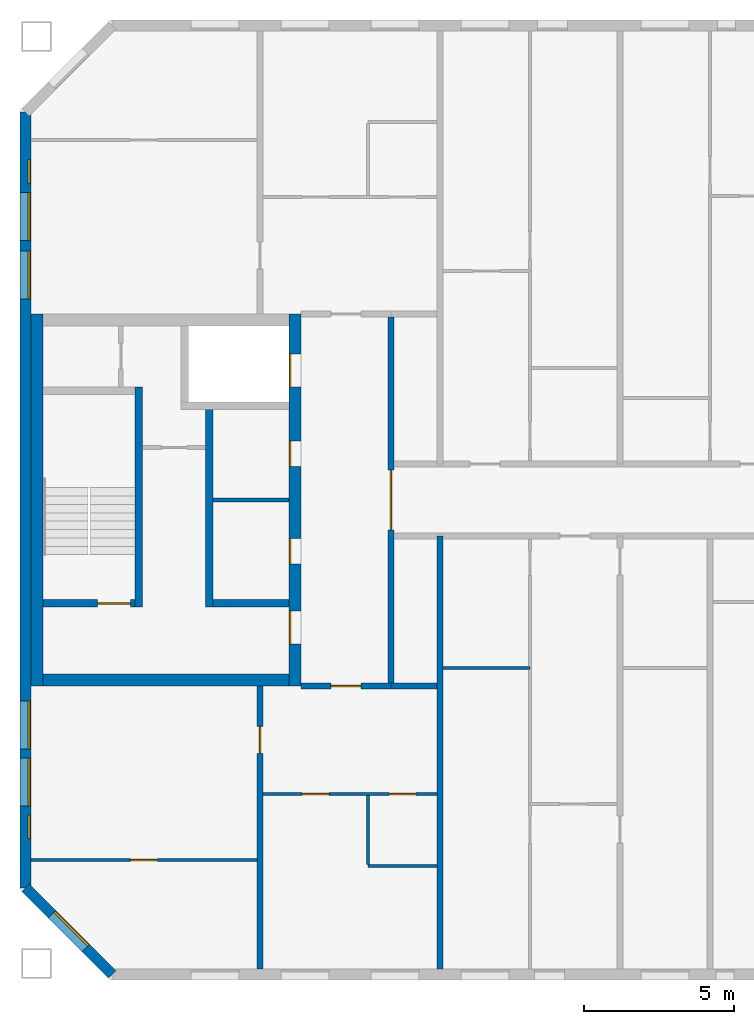
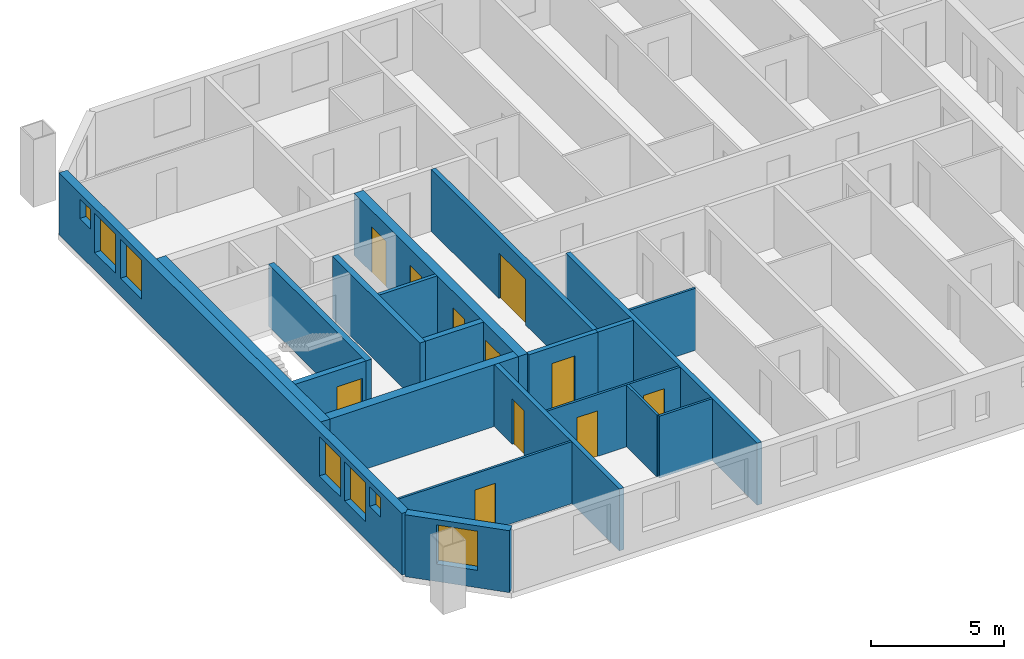
# One storey, part 4 of 19: 20 walls, 11 doors, 7 windows, 18 openings.
"""IFC4 building model written with IfcOpenShell, lengths in metres."""

from ifc_helpers import new_model, si_unit, direction, frame, frame_2d, origin, place, context, subcontext, project, spatial, rectangle, extrude, material, layer, layer_set, type_object, element, fill, save


model = new_model("IFC4")

# Units and contexts
model_context = context("Model", 3, precision=1e-05, world=origin(), true_north=direction((0.0, 1.0)))
body_context = subcontext(model_context, "Body", "Model", "MODEL_VIEW")
ifc_project = project(units=[si_unit("LENGTHUNIT", "METRE"), si_unit("AREAUNIT", "SQUARE_METRE"), si_unit("VOLUMEUNIT", "CUBIC_METRE"), si_unit("PLANEANGLEUNIT", "RADIAN"), si_unit("MASSUNIT", "GRAM", prefix="KILO")], contexts=[model_context])

# Site, building, storey
site_placement = place(None, origin())
site = spatial("IfcSite", under=ifc_project, at=site_placement, CompositionType="ELEMENT")
building_placement = place(site_placement, origin())
building = spatial("IfcBuilding", under=site, at=building_placement, Name="Tuart Gate Housing", CompositionType="ELEMENT")
storey_placement = place(building_placement, frame((0.0, 0.0, 230.699951171875)))
storey = spatial("IfcBuildingStorey", under=building, at=storey_placement, Name="L65", CompositionType="ELEMENT", Elevation=230.699951171875)

# Wall, opening, window
ifc_material_1 = material(Name="Brick", Category="masonry")
ifc_layer_1 = layer(ifc_material_1, 0.360107421875)
ifc_layer_set_1 = layer_set([ifc_layer_1], Name="Brick pier and spandrel wall 360")
wall_type_1 = type_object("IfcWallType", Name="Brick pier and spandrel wall 360", PredefinedType="STANDARD", material=ifc_layer_set_1)
wall_1_placement = place(storey_placement, frame((32.179931640625, 57.07470703125, 0.0), z_axis=(0.0, 0.0, 1.0), x_axis=(0.707106781187, -0.707106781187, 0.0)))
wall_1 = element("IfcWall", 1, at=wall_1_placement, inside=storey, type_object=wall_type_1, Name="External wall BLK-SW L65", PredefinedType="STANDARD", context=body_context, shape_type="SweptSolid", body=[
    extrude(rectangle(XDim=4.09375, YDim=0.360107421875, at=frame_2d((2.046875, 0.0))), origin(), (0.0, 0.0, 1.0), 2.85009765625),
])
opening_1_placement = place(wall_1_placement, frame((1.2470703125, 0.0, 0.800048828125)))
opening_1 = element("IfcOpeningElement", 2, at=opening_1_placement, cuts=wall_1, Name="Opening W1", PredefinedType="OPENING", context=body_context, shape_type="SweptSolid", body=[
    extrude(rectangle(XDim=1.60009765625, YDim=1.800048828125, at=frame_2d((0.800048828125, 0.89990234375))), frame((0.0, 0.18994140625, 0.0), z_axis=(0.0, -1.0, 0.0), x_axis=(1.0, 0.0, 0.0)), (0.0, 0.0, 1.0), 0.380126953125),
])
ifc_material_2 = material(Name="Aluminium frame with clear glass", Category="aluminium")
window_type_1 = type_object("IfcWindowType", Name="Punched window 1600 x 1800", PartitioningType="SINGLE_PANEL", PredefinedType="WINDOW", material=ifc_material_2)
window_1_placement = place(opening_1_placement, origin())
window_1 = element("IfcWindow", 3, at=window_1_placement, inside=storey, type_object=window_type_1, Name="Window W1", OverallHeight=1.800048828125, OverallWidth=1.60009765625, PartitioningType="SINGLE_PANEL", PredefinedType="WINDOW", context=body_context, shape_type="SweptSolid", body=[
    extrude(rectangle(XDim=1.60009765625, YDim=1.800048828125, at=frame_2d((0.800048828125, 0.89990234375))), frame((0.0, 0.150146484375, 0.0), z_axis=(0.0, -1.0, 0.0), x_axis=(1.0, 0.0, 0.0)), (0.0, 0.0, 1.0), 0.06005859375),
])
fill(opening_1, window_1)

# Wall, openings, windows
wall_2_placement = place(storey_placement, frame((32.179931640625, 82.92529296875, 0.0), z_axis=(0.0, 0.0, 1.0), x_axis=(0.0, -1.0, 0.0)))
wall_2 = element("IfcWall", 4, at=wall_2_placement, inside=storey, type_object=wall_type_1, Name="External wall BLK-W L65", PredefinedType="STANDARD", context=body_context, shape_type="SweptSolid", body=[
    extrude(rectangle(XDim=25.850830078125, YDim=0.360107421875, at=frame_2d((12.92529296875, 0.0))), origin(), (0.0, 0.0, 1.0), 2.85009765625),
])
opening_2_placement = place(wall_2_placement, frame((1.575439453125, 0.0, 1.699951171875)))
opening_2 = element("IfcOpeningElement", 5, at=opening_2_placement, cuts=wall_2, Name="Opening W1V", PredefinedType="OPENING", context=body_context, shape_type="SweptSolid", body=[
    extrude(rectangle(XDim=0.800048828125, YDim=0.89990234375, at=frame_2d((0.39990234375, 0.449951171875))), frame((0.0, 0.18994140625, 0.0), z_axis=(0.0, -1.0, 0.0), x_axis=(1.0, 0.0, 0.0)), (0.0, 0.0, 1.0), 0.380126953125),
])
opening_3_placement = place(wall_2_placement, frame((4.62548828125, 0.0, 0.800048828125)))
opening_3 = element("IfcOpeningElement", 6, at=opening_3_placement, cuts=wall_2, Name="Opening W1", PredefinedType="OPENING", context=body_context, shape_type="SweptSolid", body=[
    extrude(rectangle(XDim=1.60009765625, YDim=1.800048828125, at=frame_2d((0.800048828125, 0.89990234375))), frame((0.0, 0.18994140625, 0.0), z_axis=(0.0, -1.0, 0.0), x_axis=(1.0, 0.0, 0.0)), (0.0, 0.0, 1.0), 0.380126953125),
])
opening_4_placement = place(wall_2_placement, frame((19.62548828125, 0.0, 0.800048828125)))
opening_4 = element("IfcOpeningElement", 7, at=opening_4_placement, cuts=wall_2, Name="Opening W1", PredefinedType="OPENING", context=body_context, shape_type="SweptSolid", body=[
    extrude(rectangle(XDim=1.60009765625, YDim=1.800048828125, at=frame_2d((0.800048828125, 0.89990234375))), frame((0.0, 0.18994140625, 0.0), z_axis=(0.0, -1.0, 0.0), x_axis=(1.0, 0.0, 0.0)), (0.0, 0.0, 1.0), 0.380126953125),
])
opening_5_placement = place(wall_2_placement, frame((21.525390625, 0.0, 0.800048828125)))
opening_5 = element("IfcOpeningElement", 8, at=opening_5_placement, cuts=wall_2, Name="Opening W1", PredefinedType="OPENING", context=body_context, shape_type="SweptSolid", body=[
    extrude(rectangle(XDim=1.60009765625, YDim=1.800048828125, at=frame_2d((0.800048828125, 0.89990234375))), frame((0.0, 0.18994140625, 0.0), z_axis=(0.0, -1.0, 0.0), x_axis=(1.0, 0.0, 0.0)), (0.0, 0.0, 1.0), 0.380126953125),
])
opening_6_placement = place(wall_2_placement, frame((2.67529296875, 0.0, 0.800048828125)))
opening_6 = element("IfcOpeningElement", 9, at=opening_6_placement, cuts=wall_2, Name="Opening W1", PredefinedType="OPENING", context=body_context, shape_type="SweptSolid", body=[
    extrude(rectangle(XDim=1.60009765625, YDim=1.800048828125, at=frame_2d((0.800048828125, 0.89990234375))), frame((0.0, 0.18994140625, 0.0), z_axis=(0.0, -1.0, 0.0), x_axis=(1.0, 0.0, 0.0)), (0.0, 0.0, 1.0), 0.380126953125),
])
opening_7_placement = place(wall_2_placement, frame((23.42529296875, 0.0, 1.699951171875)))
opening_7 = element("IfcOpeningElement", 10, at=opening_7_placement, cuts=wall_2, Name="Opening W1V", PredefinedType="OPENING", context=body_context, shape_type="SweptSolid", body=[
    extrude(rectangle(XDim=0.800048828125, YDim=0.89990234375, at=frame_2d((0.39990234375, 0.449951171875))), frame((0.0, 0.18994140625, 0.0), z_axis=(0.0, -1.0, 0.0), x_axis=(1.0, 0.0, 0.0)), (0.0, 0.0, 1.0), 0.380126953125),
])
window_2_placement = place(opening_3_placement, origin())
window_2 = element("IfcWindow", 11, at=window_2_placement, inside=storey, type_object=window_type_1, Name="Window W1", OverallHeight=1.800048828125, OverallWidth=1.60009765625, PartitioningType="SINGLE_PANEL", PredefinedType="WINDOW", context=body_context, shape_type="SweptSolid", body=[
    extrude(rectangle(XDim=1.60009765625, YDim=1.800048828125, at=frame_2d((0.800048828125, 0.89990234375))), frame((0.0, 0.150146484375, 0.0), z_axis=(0.0, -1.0, 0.0), x_axis=(1.0, 0.0, 0.0)), (0.0, 0.0, 1.0), 0.06005859375),
])
fill(opening_3, window_2)
window_3_placement = place(opening_4_placement, origin())
window_3 = element("IfcWindow", 12, at=window_3_placement, inside=storey, type_object=window_type_1, Name="Window W1", OverallHeight=1.800048828125, OverallWidth=1.60009765625, PartitioningType="SINGLE_PANEL", PredefinedType="WINDOW", context=body_context, shape_type="SweptSolid", body=[
    extrude(rectangle(XDim=1.60009765625, YDim=1.800048828125, at=frame_2d((0.800048828125, 0.89990234375))), frame((0.0, 0.150146484375, 0.0), z_axis=(0.0, -1.0, 0.0), x_axis=(1.0, 0.0, 0.0)), (0.0, 0.0, 1.0), 0.06005859375),
])
fill(opening_4, window_3)
window_4_placement = place(opening_5_placement, origin())
window_4 = element("IfcWindow", 13, at=window_4_placement, inside=storey, type_object=window_type_1, Name="Window W1", OverallHeight=1.800048828125, OverallWidth=1.60009765625, PartitioningType="SINGLE_PANEL", PredefinedType="WINDOW", context=body_context, shape_type="SweptSolid", body=[
    extrude(rectangle(XDim=1.60009765625, YDim=1.800048828125, at=frame_2d((0.800048828125, 0.89990234375))), frame((0.0, 0.150146484375, 0.0), z_axis=(0.0, -1.0, 0.0), x_axis=(1.0, 0.0, 0.0)), (0.0, 0.0, 1.0), 0.06005859375),
])
fill(opening_5, window_4)
window_5_placement = place(opening_6_placement, origin())
window_5 = element("IfcWindow", 14, at=window_5_placement, inside=storey, type_object=window_type_1, Name="Window W1", OverallHeight=1.800048828125, OverallWidth=1.60009765625, PartitioningType="SINGLE_PANEL", PredefinedType="WINDOW", context=body_context, shape_type="SweptSolid", body=[
    extrude(rectangle(XDim=1.60009765625, YDim=1.800048828125, at=frame_2d((0.800048828125, 0.89990234375))), frame((0.0, 0.150146484375, 0.0), z_axis=(0.0, -1.0, 0.0), x_axis=(1.0, 0.0, 0.0)), (0.0, 0.0, 1.0), 0.06005859375),
])
fill(opening_6, window_5)
ifc_material_3 = material(Name="Aluminium frame with clear glass", Category="aluminium")
window_type_2 = type_object("IfcWindowType", Name="Punched window 800 x 900", PartitioningType="SINGLE_PANEL", PredefinedType="WINDOW", material=ifc_material_3)
window_6_placement = place(opening_2_placement, origin())
window_6 = element("IfcWindow", 15, at=window_6_placement, inside=storey, type_object=window_type_2, Name="Window W1V", OverallHeight=0.89990234375, OverallWidth=0.800048828125, PartitioningType="SINGLE_PANEL", PredefinedType="WINDOW", context=body_context, shape_type="SweptSolid", body=[
    extrude(rectangle(XDim=0.800048828125, YDim=0.89990234375, at=frame_2d((0.39990234375, 0.449951171875))), frame((0.0, 0.150146484375, 0.0), z_axis=(0.0, -1.0, 0.0), x_axis=(1.0, 0.0, 0.0)), (0.0, 0.0, 1.0), 0.06005859375),
])
fill(opening_2, window_6)
window_7_placement = place(opening_7_placement, origin())
window_7 = element("IfcWindow", 16, at=window_7_placement, inside=storey, type_object=window_type_2, Name="Window W1V", OverallHeight=0.89990234375, OverallWidth=0.800048828125, PartitioningType="SINGLE_PANEL", PredefinedType="WINDOW", context=body_context, shape_type="SweptSolid", body=[
    extrude(rectangle(XDim=0.800048828125, YDim=0.89990234375, at=frame_2d((0.39990234375, 0.449951171875))), frame((0.0, 0.150146484375, 0.0), z_axis=(0.0, -1.0, 0.0), x_axis=(1.0, 0.0, 0.0)), (0.0, 0.0, 1.0), 0.06005859375),
])
fill(opening_7, window_7)

# Walls
ifc_material_4 = material(Name="Plasterboard partition")
ifc_layer_2 = layer(ifc_material_4, 0.14990234375)
ifc_layer_set_2 = layer_set([ifc_layer_2], Name="Core partition 150")
wall_type_2 = type_object("IfcWallType", Name="Core partition 150", PredefinedType="PARTITIONING", material=ifc_layer_set_2)
wall_3_placement = place(storey_placement, frame((40.9599609375, 70.0, 0.0), z_axis=(0.0, 0.0, 1.0), x_axis=(-1.0, 0.0, 0.0)))
element("IfcWall", 17, at=wall_3_placement, inside=storey, type_object=wall_type_2, Name="Core partition AK.4", PredefinedType="PARTITIONING", context=body_context, shape_type="SweptSolid", body=[
    extrude(rectangle(XDim=2.52490234375, YDim=0.14990234375, at=frame_2d((1.262451171875, 0.0))), origin(), (0.0, 0.0, 1.0), 2.85009765625),
])
ifc_material_5 = material(Name="Concrete C40", Category="concrete")
ifc_layer_3 = layer(ifc_material_5, 0.25)
ifc_layer_set_3 = layer_set([ifc_layer_3], Name="Core wall 250 C40")
wall_type_3 = type_object("IfcWallType", Name="Core wall 250 C40", PredefinedType="SHEAR", material=ifc_layer_set_3)
wall_4_placement = place(storey_placement, frame((40.9599609375, 66.550048828125, 0.0), z_axis=(0.0, 0.0, 1.0), x_axis=(-1.0, 0.0, 0.0)))
element("IfcWall", 18, at=wall_4_placement, inside=storey, type_object=wall_type_3, Name="Core wall AK.5", PredefinedType="SHEAR", context=body_context, shape_type="SweptSolid", body=[
    extrude(rectangle(XDim=2.52490234375, YDim=0.25, at=frame_2d((1.262451171875, 0.0))), origin(), (0.0, 0.0, 1.0), 2.85009765625),
])

# Wall, opening, door
wall_5_placement = place(storey_placement, frame((35.8349609375, 66.550048828125, 0.0), z_axis=(0.0, 0.0, 1.0), x_axis=(-1.0, 0.0, 0.0)))
wall_5 = element("IfcWall", 19, at=wall_5_placement, inside=storey, type_object=wall_type_3, Name="Core wall AK.6", PredefinedType="SHEAR", context=body_context, shape_type="SweptSolid", body=[
    extrude(rectangle(XDim=3.074951171875, YDim=0.25, at=frame_2d((1.53759765625, 0.0))), origin(), (0.0, 0.0, 1.0), 2.85009765625),
])
opening_8_placement = place(wall_5_placement, frame((0.14990234375, 0.0, 0.0)))
opening_8 = element("IfcOpeningElement", 20, at=opening_8_placement, cuts=wall_5, Name="Opening D2478", PredefinedType="OPENING", context=body_context, shape_type="SweptSolid", body=[
    extrude(rectangle(XDim=1.10009765625, YDim=2.10009765625, at=frame_2d((0.550048828125, 1.050048828125))), frame((0.0, 0.135009765625, 0.0), z_axis=(0.0, -1.0, 0.0), x_axis=(1.0, 0.0, 0.0)), (0.0, 0.0, 1.0), 0.27001953125),
])
ifc_material_6 = material(Name="Steel fire door", Category="steel")
door_type_1 = type_object("IfcDoorType", Name="Stair door 1100 x 2100 RH", OperationType="SINGLE_SWING_RIGHT", PredefinedType="DOOR", material=ifc_material_6)
door_1_placement = place(opening_8_placement, frame((1.10009765625, 0.0, 0.0), z_axis=(0.0, 0.0, 1.0), x_axis=(-1.0, 0.0, 0.0)))
door_1 = element("IfcDoor", 21, at=door_1_placement, inside=storey, type_object=door_type_1, Name="Stair door AK.SD", OperationType="SINGLE_SWING_RIGHT", OverallHeight=2.10009765625, OverallWidth=1.10009765625, PredefinedType="DOOR", context=body_context, shape_type="SweptSolid", body=[
    extrude(rectangle(XDim=1.10009765625, YDim=2.10009765625, at=frame_2d((0.550048828125, 1.050048828125))), frame((0.0, 0.025146484375, 0.0), z_axis=(0.0, -1.0, 0.0), x_axis=(1.0, 0.0, 0.0)), (0.0, 0.0, 1.0), 0.050048828125),
])
fill(opening_8, door_1)

# Walls
wall_6_placement = place(storey_placement, frame((38.31005859375, 73.02490234375, 0.0), z_axis=(0.0, 0.0, 1.0), x_axis=(0.0, -1.0, 0.0)))
element("IfcWall", 22, at=wall_6_placement, inside=storey, type_object=wall_type_3, Name="Core wall AK.7", PredefinedType="SHEAR", context=body_context, shape_type="SweptSolid", body=[
    extrude(rectangle(XDim=6.599853515625, YDim=0.25, at=frame_2d((3.2998046875, 0.0))), origin(), (0.0, 0.0, 1.0), 2.85009765625),
])
wall_7_placement = place(storey_placement, frame((35.9599609375, 73.77490234375, 0.0), z_axis=(0.0, 0.0, 1.0), x_axis=(0.0, -1.0, 0.0)))
element("IfcWall", 23, at=wall_7_placement, inside=storey, type_object=wall_type_3, Name="Core wall AK.9", PredefinedType="SHEAR", context=body_context, shape_type="SweptSolid", body=[
    extrude(rectangle(XDim=7.349853515625, YDim=0.25, at=frame_2d((3.6748046875, 0.0))), origin(), (0.0, 0.0, 1.0), 2.85009765625),
])

# Wall, openings, doors
ifc_material_7 = material(Name="Concrete C40", Category="concrete")
ifc_layer_4 = layer(ifc_material_7, 0.39990234375)
ifc_layer_set_4 = layer_set([ifc_layer_4], Name="Core wall 400 C40")
wall_type_4 = type_object("IfcWallType", Name="Core wall 400 C40", PredefinedType="SHEAR", material=ifc_layer_set_4)
wall_8_placement = place(storey_placement, frame((41.159912109375, 76.199951171875, 0.0), z_axis=(0.0, 0.0, 1.0), x_axis=(0.0, -1.0, 0.0)))
wall_8 = element("IfcWall", 24, at=wall_8_placement, inside=storey, type_object=wall_type_4, Name="Core wall AK front", PredefinedType="SHEAR", context=body_context, shape_type="SweptSolid", body=[
    extrude(rectangle(XDim=12.39990234375, YDim=0.39990234375, at=frame_2d((6.199951171875, 0.0))), origin(), (0.0, 0.0, 1.0), 2.85009765625),
])
opening_9_placement = place(wall_8_placement, frame((1.324951171875, 0.0, 0.0)))
opening_9 = element("IfcOpeningElement", 25, at=opening_9_placement, cuts=wall_8, Name="Opening LD-FA2", PredefinedType="OPENING", context=body_context, shape_type="SweptSolid", body=[
    extrude(rectangle(XDim=1.10009765625, YDim=2.10009765625, at=frame_2d((0.550048828125, 1.050048828125))), frame((0.0, 0.2099609375, 0.0), z_axis=(0.0, -1.0, 0.0), x_axis=(1.0, 0.0, 0.0)), (0.0, 0.0, 1.0), 0.419921875),
])
opening_10_placement = place(wall_8_placement, frame((4.22509765625, 0.0, 0.0)))
opening_10 = element("IfcOpeningElement", 26, at=opening_10_placement, cuts=wall_8, Name="Opening D2469", PredefinedType="OPENING", context=body_context, shape_type="SweptSolid", body=[
    extrude(rectangle(XDim=0.85009765625, YDim=2.10009765625, at=frame_2d((0.425048828125, 1.050048828125))), frame((0.0, 0.2099609375, 0.0), z_axis=(0.0, -1.0, 0.0), x_axis=(1.0, 0.0, 0.0)), (0.0, 0.0, 1.0), 0.419921875),
])
opening_11_placement = place(wall_8_placement, frame((7.47509765625, 0.0, 0.0)))
opening_11 = element("IfcOpeningElement", 27, at=opening_11_placement, cuts=wall_8, Name="Opening D2470", PredefinedType="OPENING", context=body_context, shape_type="SweptSolid", body=[
    extrude(rectangle(XDim=0.85009765625, YDim=2.10009765625, at=frame_2d((0.425048828125, 1.050048828125))), frame((0.0, 0.2099609375, 0.0), z_axis=(0.0, -1.0, 0.0), x_axis=(1.0, 0.0, 0.0)), (0.0, 0.0, 1.0), 0.419921875),
])
opening_12_placement = place(wall_8_placement, frame((9.89990234375, 0.0, 0.0)))
opening_12 = element("IfcOpeningElement", 28, at=opening_12_placement, cuts=wall_8, Name="Opening D2468", PredefinedType="OPENING", context=body_context, shape_type="SweptSolid", body=[
    extrude(rectangle(XDim=1.10009765625, YDim=2.10009765625, at=frame_2d((0.550048828125, 1.050048828125))), frame((0.0, 0.2099609375, 0.0), z_axis=(0.0, -1.0, 0.0), x_axis=(1.0, 0.0, 0.0)), (0.0, 0.0, 1.0), 0.419921875),
])
ifc_material_8 = material(Name="Stainless steel", Category="steel")
door_type_2 = type_object("IfcDoorType", Name="Landing door 1100 x 2100", OperationType="DOUBLE_DOOR_SLIDING", PredefinedType="DOOR", material=ifc_material_8)
door_2_placement = place(opening_9_placement, origin())
door_2 = element("IfcDoor", 29, at=door_2_placement, inside=storey, type_object=door_type_2, Name="Lift landing door FA2", OperationType="DOUBLE_DOOR_SLIDING", OverallHeight=2.10009765625, OverallWidth=1.10009765625, PredefinedType="DOOR", context=body_context, shape_type="SweptSolid", body=[
    extrude(rectangle(XDim=1.10009765625, YDim=2.10009765625, at=frame_2d((0.550048828125, 1.050048828125))), frame((0.0, -0.134765625, 0.0), z_axis=(0.0, -1.0, 0.0), x_axis=(1.0, 0.0, 0.0)), (0.0, 0.0, 1.0), 0.050048828125),
])
fill(opening_9, door_2)
ifc_material_9 = material(Name="Steel fire door", Category="steel")
door_type_3 = type_object("IfcDoorType", Name="Lobby door 1100 x 2100 RH", OperationType="SINGLE_SWING_RIGHT", PredefinedType="DOOR", material=ifc_material_9)
door_3_placement = place(opening_12_placement, frame((1.10009765625, 0.0, 0.0), z_axis=(0.0, 0.0, 1.0), x_axis=(-1.0, 0.0, 0.0)))
door_3 = element("IfcDoor", 30, at=door_3_placement, inside=storey, type_object=door_type_3, Name="Lobby entry door AK.EN", OperationType="SINGLE_SWING_RIGHT", OverallHeight=2.10009765625, OverallWidth=1.10009765625, PredefinedType="DOOR", context=body_context, shape_type="SweptSolid", body=[
    extrude(rectangle(XDim=1.10009765625, YDim=2.10009765625, at=frame_2d((0.550048828125, 1.050048828125))), frame((0.0, 0.184814453125, 0.0), z_axis=(0.0, -1.0, 0.0), x_axis=(1.0, 0.0, 0.0)), (0.0, 0.0, 1.0), 0.050048828125),
])
fill(opening_12, door_3)
ifc_material_10 = material(Name="Steel fire door", Category="steel")
door_type_4 = type_object("IfcDoorType", Name="Service door 850 x 2100 RH", OperationType="SINGLE_SWING_RIGHT", PredefinedType="DOOR", material=ifc_material_10)
door_4_placement = place(opening_10_placement, frame((0.85009765625, 0.0, 0.0), z_axis=(0.0, 0.0, 1.0), x_axis=(-1.0, 0.0, 0.0)))
door_4 = element("IfcDoor", 31, at=door_4_placement, inside=storey, type_object=door_type_4, Name="Service room door AK.FR1", OperationType="SINGLE_SWING_RIGHT", OverallHeight=2.10009765625, OverallWidth=0.85009765625, PredefinedType="DOOR", context=body_context, shape_type="SweptSolid", body=[
    extrude(rectangle(XDim=0.85009765625, YDim=2.10009765625, at=frame_2d((0.425048828125, 1.050048828125))), frame((0.0, 0.184814453125, 0.0), z_axis=(0.0, -1.0, 0.0), x_axis=(1.0, 0.0, 0.0)), (0.0, 0.0, 1.0), 0.050048828125),
])
fill(opening_10, door_4)
door_5_placement = place(opening_11_placement, frame((0.85009765625, 0.0, 0.0), z_axis=(0.0, 0.0, 1.0), x_axis=(-1.0, 0.0, 0.0)))
door_5 = element("IfcDoor", 32, at=door_5_placement, inside=storey, type_object=door_type_4, Name="Service room door AK.FR2", OperationType="SINGLE_SWING_RIGHT", OverallHeight=2.10009765625, OverallWidth=0.85009765625, PredefinedType="DOOR", context=body_context, shape_type="SweptSolid", body=[
    extrude(rectangle(XDim=0.85009765625, YDim=2.10009765625, at=frame_2d((0.425048828125, 1.050048828125))), frame((0.0, 0.184814453125, 0.0), z_axis=(0.0, -1.0, 0.0), x_axis=(1.0, 0.0, 0.0)), (0.0, 0.0, 1.0), 0.050048828125),
])
fill(opening_11, door_5)

# Walls
wall_9_placement = place(storey_placement, frame((32.56005859375, 76.199951171875, 0.0), z_axis=(0.0, 0.0, 1.0), x_axis=(0.0, -1.0, 0.0)))
element("IfcWall", 33, at=wall_9_placement, inside=storey, type_object=wall_type_4, Name="Core wall AK back", PredefinedType="SHEAR", context=body_context, shape_type="SweptSolid", body=[
    extrude(rectangle(XDim=12.39990234375, YDim=0.39990234375, at=frame_2d((6.199951171875, 0.0))), origin(), (0.0, 0.0, 1.0), 2.85009765625),
])
wall_10_placement = place(storey_placement, frame((40.9599609375, 64.0, 0.0), z_axis=(0.0, 0.0, 1.0), x_axis=(-1.0, 0.0, 0.0)))
element("IfcWall", 34, at=wall_10_placement, inside=storey, type_object=wall_type_4, Name="Core wall AK north", PredefinedType="SHEAR", context=body_context, shape_type="SweptSolid", body=[
    extrude(rectangle(XDim=8.199951171875, YDim=0.39990234375, at=frame_2d((4.10009765625, 0.0))), origin(), (0.0, 0.0, 1.0), 2.85009765625),
])

# Wall, opening, door
ifc_material_11 = material(Name="Concrete masonry 15 MPa", Category="masonry")
ifc_layer_5 = layer(ifc_material_11, 0.199951171875)
ifc_layer_set_5 = layer_set([ifc_layer_5], Name="Enclosure wall masonry 200")
wall_type_5 = type_object("IfcWallType", Name="Enclosure wall masonry 200", PredefinedType="PARTITIONING", material=ifc_layer_set_5)
wall_11_placement = place(storey_placement, frame((41.360107421875, 63.800048828125, 0.0), z_axis=(0.0, 0.0, 1.0), x_axis=(1.0, 0.0, 0.0)))
wall_11 = element("IfcWall", 35, at=wall_11_placement, inside=storey, type_object=wall_type_5, Name="Enclosure wall masonry 200", PredefinedType="PARTITIONING", context=body_context, shape_type="SweptSolid", body=[
    extrude(rectangle(XDim=3.0, YDim=0.199951171875, at=frame_2d((1.5, 0.0))), origin(), (0.0, 0.0, 1.0), 2.85009765625),
])
opening_13_placement = place(wall_11_placement, frame((1.0, 0.0, 0.0)))
opening_13 = element("IfcOpeningElement", 36, at=opening_13_placement, cuts=wall_11, Name="Opening D2479", PredefinedType="OPENING", context=body_context, shape_type="SweptSolid", body=[
    extrude(rectangle(XDim=1.0, YDim=2.10009765625, at=frame_2d((0.5, 1.050048828125))), frame((0.0, 0.10986328125, 0.0), z_axis=(0.0, -1.0, 0.0), x_axis=(1.0, 0.0, 0.0)), (0.0, 0.0, 1.0), 0.219970703125),
])
ifc_material_12 = material(Name="Timber door leaf in steel frame", Category="steel")
door_type_5 = type_object("IfcDoorType", Name="Flat entrance door 1000 RH", OperationType="SINGLE_SWING_RIGHT", PredefinedType="DOOR", material=ifc_material_12)
door_6_placement = place(opening_13_placement, frame((1.0, 0.0, 0.0), z_axis=(0.0, 0.0, 1.0), x_axis=(-1.0, 0.0, 0.0)))
door_6 = element("IfcDoor", 37, at=door_6_placement, inside=storey, type_object=door_type_5, Name="Flat entrance door", OperationType="SINGLE_SWING_RIGHT", OverallHeight=2.10009765625, OverallWidth=1.0, PredefinedType="DOOR", context=body_context, shape_type="SweptSolid", body=[
    extrude(rectangle(XDim=1.0, YDim=2.10009765625, at=frame_2d((0.5, 1.050048828125))), frame((0.0, 0.025146484375, 0.0), z_axis=(0.0, -1.0, 0.0), x_axis=(1.0, 0.0, 0.0)), (0.0, 0.0, 1.0), 0.050048828125),
])
fill(opening_13, door_6)

ifc_material_13 = material(Name="Plasterboard partition")
ifc_layer_6 = layer(ifc_material_13, 0.199951171875)
ifc_layer_set_6 = layer_set([ifc_layer_6], Name="Lobby wall 200")
wall_type_6 = type_object("IfcWallType", Name="Lobby wall 200", PredefinedType="PARTITIONING", material=ifc_layer_set_6)
wall_12_placement = place(storey_placement, frame((44.360107421875, 63.89990234375, 0.0), z_axis=(0.0, 0.0, 1.0), x_axis=(0.0, 1.0, 0.0)))
wall_12 = element("IfcWall", 38, at=wall_12_placement, inside=storey, type_object=wall_type_6, Name="Lift lobby wall AK", PredefinedType="PARTITIONING", context=body_context, shape_type="SweptSolid", body=[
    extrude(rectangle(XDim=12.2001953125, YDim=0.199951171875, at=frame_2d((6.10009765625, 0.0))), origin(), (0.0, 0.0, 1.0), 2.85009765625),
])
opening_14_placement = place(wall_12_placement, frame((5.10009765625, 0.0, 0.0)))
opening_14 = element("IfcOpeningElement", 39, at=opening_14_placement, cuts=wall_12, Name="Opening D2471", PredefinedType="OPENING", context=body_context, shape_type="SweptSolid", body=[
    extrude(rectangle(XDim=2.0, YDim=2.10009765625, at=frame_2d((1.0, 1.050048828125))), frame((0.0, 0.10986328125, 0.0), z_axis=(0.0, -1.0, 0.0), x_axis=(1.0, 0.0, 0.0)), (0.0, 0.0, 1.0), 0.219970703125),
])
ifc_material_14 = material(Name="Steel fire door", Category="steel")
door_type_6 = type_object("IfcDoorType", Name="Smoke door 2000 x 2100", OperationType="DOUBLE_DOOR_SINGLE_SWING", PredefinedType="DOOR", material=ifc_material_14)
door_7_placement = place(opening_14_placement, origin())
door_7 = element("IfcDoor", 40, at=door_7_placement, inside=storey, type_object=door_type_6, Name="Lift lobby smoke door AK", OperationType="DOUBLE_DOOR_SINGLE_SWING", OverallHeight=2.10009765625, OverallWidth=2.0, PredefinedType="DOOR", context=body_context, shape_type="SweptSolid", body=[
    extrude(rectangle(XDim=2.0, YDim=2.10009765625, at=frame_2d((1.0, 1.050048828125))), frame((0.0, 0.02490234375, 0.0), z_axis=(0.0, -1.0, 0.0), x_axis=(1.0, 0.0, 0.0)), (0.0, 0.0, 1.0), 0.050048828125),
])
fill(opening_14, door_7)

# Wall
ifc_material_15 = material(Name="Gypsum board on steel studs", Category="steel")
ifc_layer_7 = layer(ifc_material_15, 0.10009765625)
ifc_layer_set_7 = layer_set([ifc_layer_7], Name="Partition 100")
wall_type_7 = type_object("IfcWallType", Name="Partition 100", PredefinedType="PARTITIONING", material=ifc_layer_set_7)
wall_13_placement = place(storey_placement, frame((43.60009765625, 57.800048828125, 0.0), z_axis=(0.0, 0.0, 1.0), x_axis=(1.0, 0.0, 0.0)))
element("IfcWall", 41, at=wall_13_placement, inside=storey, type_object=wall_type_7, Name="Partition 100", PredefinedType="PARTITIONING", context=body_context, shape_type="SweptSolid", body=[
    extrude(rectangle(XDim=2.2998046875, YDim=0.10009765625, at=frame_2d((1.14990234375, 0.0))), origin(), (0.0, 0.0, 1.0), 2.85009765625),
])

# Wall, opening, door
wall_14_placement = place(storey_placement, frame((32.360107421875, 58.0, 0.0), z_axis=(0.0, 0.0, 1.0), x_axis=(1.0, 0.0, 0.0)))
wall_14 = element("IfcWall", 42, at=wall_14_placement, inside=storey, type_object=wall_type_7, Name="Partition 100", PredefinedType="PARTITIONING", context=body_context, shape_type="SweptSolid", body=[
    extrude(rectangle(XDim=7.539794921875, YDim=0.10009765625, at=frame_2d((3.77001953125, 0.0))), origin(), (0.0, 0.0, 1.0), 2.85009765625),
])
opening_15_placement = place(wall_14_placement, frame((3.320068359375, 0.0, 0.0)))
opening_15 = element("IfcOpeningElement", 43, at=opening_15_placement, cuts=wall_14, Name="Opening D2498", PredefinedType="OPENING", context=body_context, shape_type="SweptSolid", body=[
    extrude(rectangle(XDim=0.89990234375, YDim=2.10009765625, at=frame_2d((0.449951171875, 1.050048828125))), frame((0.0, 0.06005859375, 0.0), z_axis=(0.0, -1.0, 0.0), x_axis=(1.0, 0.0, 0.0)), (0.0, 0.0, 1.0), 0.1201171875),
])
ifc_material_16 = material(Name="Timber door leaf in steel frame", Category="steel")
door_type_7 = type_object("IfcDoorType", Name="Internal door 900 RH", OperationType="SINGLE_SWING_RIGHT", PredefinedType="DOOR", material=ifc_material_16)
door_8_placement = place(opening_15_placement, frame((0.89990234375, 0.0, 0.0), z_axis=(0.0, 0.0, 1.0), x_axis=(-1.0, 0.0, 0.0)))
door_8 = element("IfcDoor", 44, at=door_8_placement, inside=storey, type_object=door_type_7, Name="Internal door", OperationType="SINGLE_SWING_RIGHT", OverallHeight=2.10009765625, OverallWidth=0.89990234375, PredefinedType="DOOR", context=body_context, shape_type="SweptSolid", body=[
    extrude(rectangle(XDim=0.89990234375, YDim=2.10009765625, at=frame_2d((0.449951171875, 1.050048828125))), frame((0.0, 0.025146484375, 0.0), z_axis=(0.0, -1.0, 0.0), x_axis=(1.0, 0.0, 0.0)), (0.0, 0.0, 1.0), 0.050048828125),
])
fill(opening_15, door_8)

# Wall, openings, doors
wall_15_placement = place(storey_placement, frame((40.10009765625, 60.199951171875, 0.0), z_axis=(0.0, 0.0, 1.0), x_axis=(1.0, 0.0, 0.0)))
wall_15 = element("IfcWall", 45, at=wall_15_placement, inside=storey, type_object=wall_type_7, Name="Partition 100", PredefinedType="PARTITIONING", context=body_context, shape_type="SweptSolid", body=[
    extrude(rectangle(XDim=5.7998046875, YDim=0.10009765625, at=frame_2d((2.89990234375, 0.0))), origin(), (0.0, 0.0, 1.0), 2.85009765625),
])
opening_16_placement = place(wall_15_placement, frame((1.300048828125, 0.0, 0.0)))
opening_16 = element("IfcOpeningElement", 46, at=opening_16_placement, cuts=wall_15, Name="Opening D2491", PredefinedType="OPENING", context=body_context, shape_type="SweptSolid", body=[
    extrude(rectangle(XDim=0.89990234375, YDim=2.10009765625, at=frame_2d((0.449951171875, 1.050048828125))), frame((0.0, 0.06005859375, 0.0), z_axis=(0.0, -1.0, 0.0), x_axis=(1.0, 0.0, 0.0)), (0.0, 0.0, 1.0), 0.1201171875),
])
opening_17_placement = place(wall_15_placement, frame((4.199951171875, 0.0, 0.0)))
opening_17 = element("IfcOpeningElement", 47, at=opening_17_placement, cuts=wall_15, Name="Opening D2490", PredefinedType="OPENING", context=body_context, shape_type="SweptSolid", body=[
    extrude(rectangle(XDim=0.89990234375, YDim=2.10009765625, at=frame_2d((0.449951171875, 1.050048828125))), frame((0.0, 0.06005859375, 0.0), z_axis=(0.0, -1.0, 0.0), x_axis=(1.0, 0.0, 0.0)), (0.0, 0.0, 1.0), 0.1201171875),
])
ifc_material_17 = material(Name="Timber door leaf in steel frame", Category="steel")
door_type_8 = type_object("IfcDoorType", Name="Bathroom door 900 RH", OperationType="SINGLE_SWING_RIGHT", PredefinedType="DOOR", material=ifc_material_17)
door_9_placement = place(opening_17_placement, frame((0.89990234375, 0.0, 0.0), z_axis=(0.0, 0.0, 1.0), x_axis=(-1.0, 0.0, 0.0)))
door_9 = element("IfcDoor", 48, at=door_9_placement, inside=storey, type_object=door_type_8, Name="Bathroom door", OperationType="SINGLE_SWING_RIGHT", OverallHeight=2.10009765625, OverallWidth=0.89990234375, PredefinedType="DOOR", context=body_context, shape_type="SweptSolid", body=[
    extrude(rectangle(XDim=0.89990234375, YDim=2.10009765625, at=frame_2d((0.449951171875, 1.050048828125))), frame((0.0, 0.025146484375, 0.0), z_axis=(0.0, -1.0, 0.0), x_axis=(1.0, 0.0, 0.0)), (0.0, 0.0, 1.0), 0.050048828125),
])
fill(opening_17, door_9)
ifc_material_18 = material(Name="Timber door leaf in steel frame", Category="steel")
door_type_9 = type_object("IfcDoorType", Name="Internal door 900", OperationType="SINGLE_SWING_LEFT", PredefinedType="DOOR", material=ifc_material_18)
door_10_placement = place(opening_16_placement, frame((0.89990234375, 0.0, 0.0), z_axis=(0.0, 0.0, 1.0), x_axis=(-1.0, 0.0, 0.0)))
door_10 = element("IfcDoor", 49, at=door_10_placement, inside=storey, type_object=door_type_9, Name="Internal door", OperationType="SINGLE_SWING_LEFT", OverallHeight=2.10009765625, OverallWidth=0.89990234375, PredefinedType="DOOR", context=body_context, shape_type="SweptSolid", body=[
    extrude(rectangle(XDim=0.89990234375, YDim=2.10009765625, at=frame_2d((0.449951171875, 1.050048828125))), frame((0.0, 0.025146484375, 0.0), z_axis=(0.0, -1.0, 0.0), x_axis=(1.0, 0.0, 0.0)), (0.0, 0.0, 1.0), 0.050048828125),
])
fill(opening_16, door_10)

# Walls
wall_16_placement = place(storey_placement, frame((46.10009765625, 64.39990234375, 0.0), z_axis=(0.0, 0.0, 1.0), x_axis=(1.0, 0.0, 0.0)))
element("IfcWall", 50, at=wall_16_placement, inside=storey, type_object=wall_type_7, Name="Partition 100", PredefinedType="PARTITIONING", context=body_context, shape_type="SweptSolid", body=[
    extrude(rectangle(XDim=2.89990234375, YDim=0.10009765625, at=frame_2d((1.449951171875, 0.0))), origin(), (0.0, 0.0, 1.0), 2.85009765625),
])
wall_17_placement = place(storey_placement, frame((43.60009765625, 57.85009765625, 0.0), z_axis=(0.0, 0.0, 1.0), x_axis=(0.0, 1.0, 0.0)))
element("IfcWall", 51, at=wall_17_placement, inside=storey, type_object=wall_type_7, Name="Partition 100", PredefinedType="PARTITIONING", context=body_context, shape_type="SweptSolid", body=[
    extrude(rectangle(XDim=2.2998046875, YDim=0.10009765625, at=frame_2d((1.14990234375, 0.0))), origin(), (0.0, 0.0, 1.0), 2.85009765625),
])

# Wall, opening, door
ifc_material_19 = material(Name="Concrete C40", Category="concrete")
ifc_layer_8 = layer(ifc_material_19, 0.199951171875)
ifc_layer_set_8 = layer_set([ifc_layer_8], Name="Party wall concrete C40 200")
wall_type_8 = type_object("IfcWallType", Name="Party wall concrete C40 200", PredefinedType="SOLIDWALL", material=ifc_layer_set_8)
wall_18_placement = place(storey_placement, frame((40.0, 54.360107421875, 0.0), z_axis=(0.0, 0.0, 1.0), x_axis=(0.0, 1.0, 0.0)))
wall_18 = element("IfcWall", 52, at=wall_18_placement, inside=storey, type_object=wall_type_8, Name="Party wall concrete C40 200", PredefinedType="SOLIDWALL", context=body_context, shape_type="SweptSolid", body=[
    extrude(rectangle(XDim=9.43994140625, YDim=0.199951171875, at=frame_2d((4.719970703125, 0.0))), origin(), (0.0, 0.0, 1.0), 2.85009765625),
])
opening_18_placement = place(wall_18_placement, frame((7.18994140625, 0.0, 0.0)))
opening_18 = element("IfcOpeningElement", 53, at=opening_18_placement, cuts=wall_18, Name="Opening D2495", PredefinedType="OPENING", context=body_context, shape_type="SweptSolid", body=[
    extrude(rectangle(XDim=0.89990234375, YDim=2.10009765625, at=frame_2d((0.449951171875, 1.050048828125))), frame((0.0, 0.10986328125, 0.0), z_axis=(0.0, -1.0, 0.0), x_axis=(1.0, 0.0, 0.0)), (0.0, 0.0, 1.0), 0.219970703125),
])
door_11_placement = place(opening_18_placement, frame((0.89990234375, 0.0, 0.0), z_axis=(0.0, 0.0, 1.0), x_axis=(-1.0, 0.0, 0.0)))
door_11 = element("IfcDoor", 54, at=door_11_placement, inside=storey, type_object=door_type_7, Name="Internal door", OperationType="SINGLE_SWING_RIGHT", OverallHeight=2.10009765625, OverallWidth=0.89990234375, PredefinedType="DOOR", context=body_context, shape_type="SweptSolid", body=[
    extrude(rectangle(XDim=0.89990234375, YDim=2.10009765625, at=frame_2d((0.449951171875, 1.050048828125))), frame((0.0, 0.025146484375, 0.0), z_axis=(0.0, -1.0, 0.0), x_axis=(1.0, 0.0, 0.0)), (0.0, 0.0, 1.0), 0.050048828125),
])
fill(opening_18, door_11)

# Walls
wall_19_placement = place(storey_placement, frame((46.0, 54.360107421875, 0.0), z_axis=(0.0, 0.0, 1.0), x_axis=(0.0, 1.0, 0.0)))
element("IfcWall", 55, at=wall_19_placement, inside=storey, type_object=wall_type_8, Name="Party wall concrete C40 200", PredefinedType="SOLIDWALL", context=body_context, shape_type="SweptSolid", body=[
    extrude(rectangle(XDim=14.43994140625, YDim=0.199951171875, at=frame_2d((7.219970703125, 0.0))), origin(), (0.0, 0.0, 1.0), 2.85009765625),
])
ifc_material_20 = material(Name="Concrete masonry 15 MPa", Category="masonry")
ifc_layer_9 = layer(ifc_material_20, 0.199951171875)
ifc_layer_set_9 = layer_set([ifc_layer_9], Name="Party wall masonry 200")
wall_type_9 = type_object("IfcWallType", Name="Party wall masonry 200", PredefinedType="PARTITIONING", material=ifc_layer_set_9)
wall_20_placement = place(storey_placement, frame((44.360107421875, 63.800048828125, 0.0), z_axis=(0.0, 0.0, 1.0), x_axis=(1.0, 0.0, 0.0)))
element("IfcWall", 56, at=wall_20_placement, inside=storey, type_object=wall_type_9, Name="Party wall masonry 200", PredefinedType="PARTITIONING", context=body_context, shape_type="SweptSolid", body=[
    extrude(rectangle(XDim=1.539794921875, YDim=0.199951171875, at=frame_2d((0.77001953125, 0.0))), origin(), (0.0, 0.0, 1.0), 2.85009765625),
])

save(model, "model.ifc")
